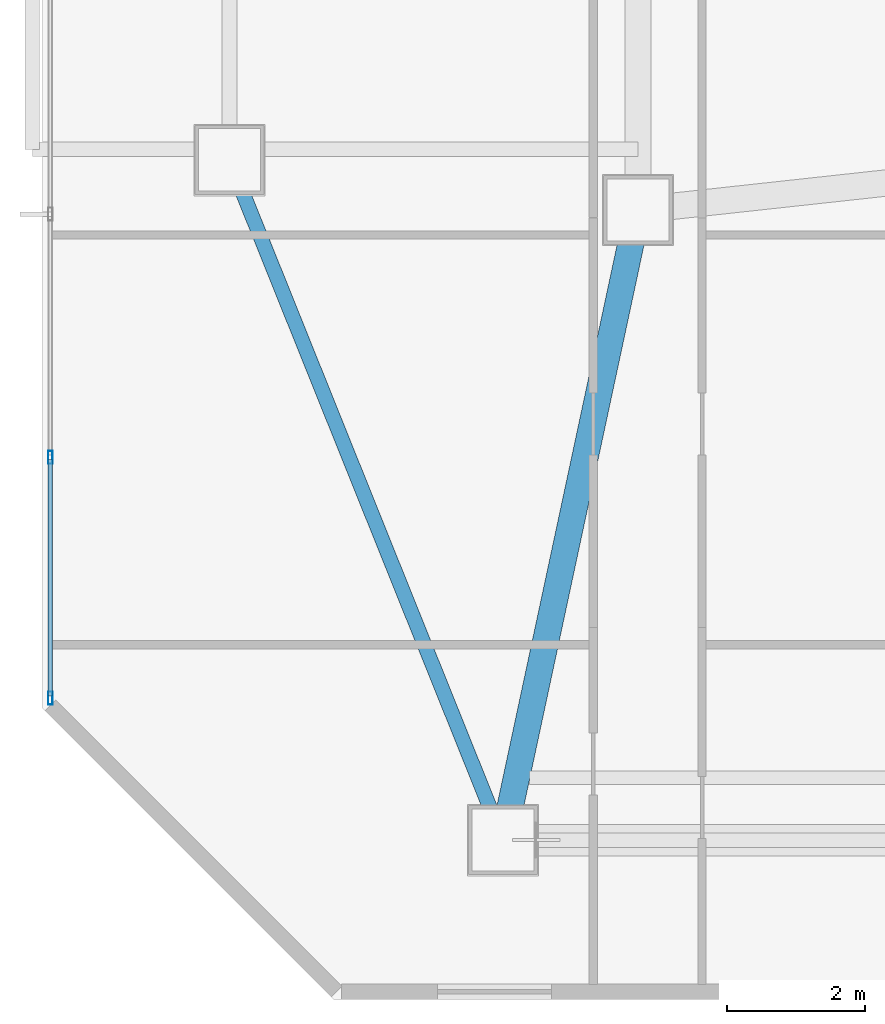
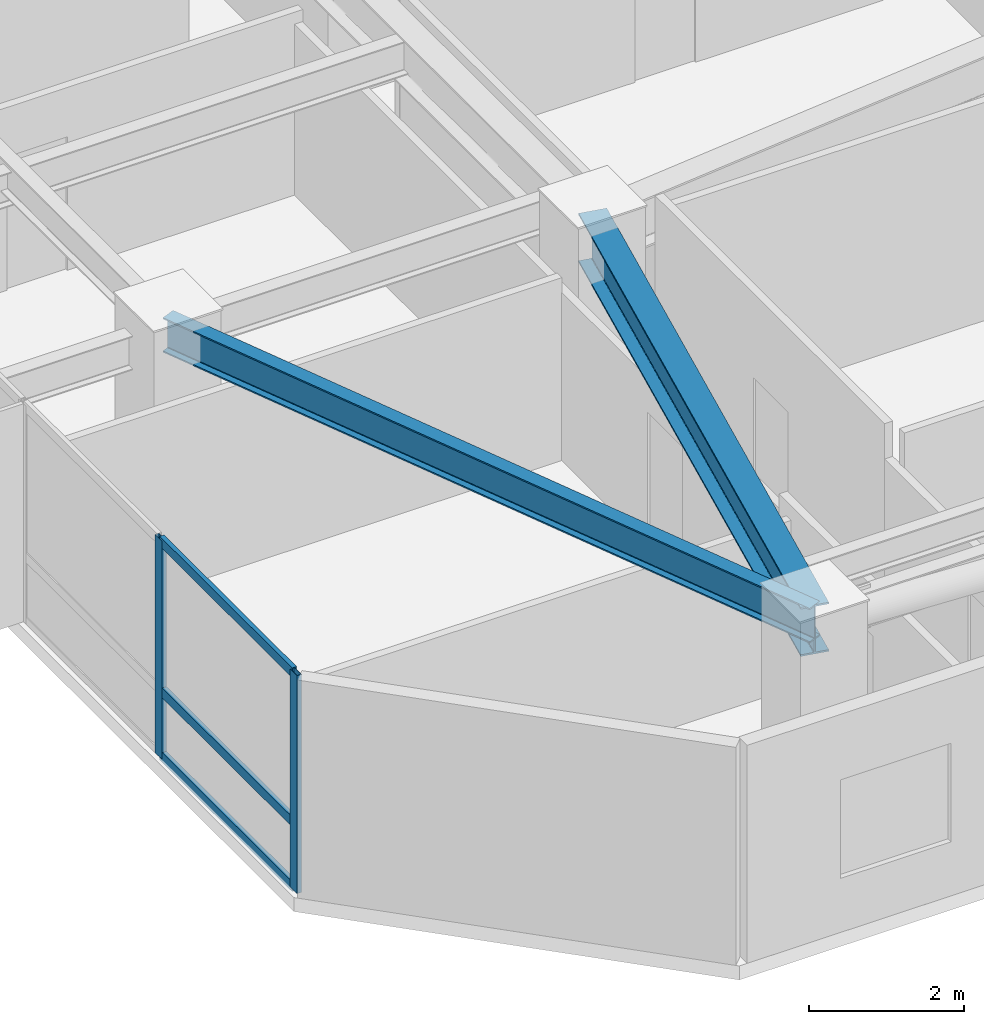
# One storey, part 2 of 17: 5 members, 2 beams, 1 element without a shape of its own.
"""IFC4 building model written with IfcOpenShell, lengths in metres."""

from ifc_helpers import new_model, si_unit, direction, frame, origin, origin_2d, place, context, subcontext, project, spatial, hollow_rectangle, i_section, extrude, material, material_profile, profile_set, type_object, element, aggregate, save


model = new_model("IFC4")

# Units and contexts
model_context = context("Model", 3, precision=1e-05, world=origin(), true_north=direction((0.0, 1.0)))
body_context = subcontext(model_context, "Body", "Model", "MODEL_VIEW")
ifc_project = project(units=[si_unit("LENGTHUNIT", "METRE"), si_unit("AREAUNIT", "SQUARE_METRE"), si_unit("VOLUMEUNIT", "CUBIC_METRE"), si_unit("PLANEANGLEUNIT", "RADIAN"), si_unit("MASSUNIT", "GRAM", prefix="KILO")], contexts=[model_context])

# Site, building, storey
site_placement = place(None, origin())
site = spatial("IfcSite", under=ifc_project, at=site_placement, CompositionType="ELEMENT")
building_placement = place(site_placement, origin())
building = spatial("IfcBuilding", under=site, at=building_placement, Name="Khamvora Tower", CompositionType="ELEMENT")
storey_placement = place(building_placement, frame((0.0, 0.0, 131.10009765625)))
storey = spatial("IfcBuildingStorey", under=building, at=storey_placement, Name="L33", CompositionType="ELEMENT", Elevation=131.10009765625)

# Beams
ifc_material_1 = material(Name="Steel S355", Category="steel")
ifc_material_profile_1 = material_profile(ifc_material_1, i_section(OverallWidth=0.381103515625, OverallDepth=0.77294921875, WebThickness=0.01708984375, FlangeThickness=0.027099609375, FilletRadius=0.01806640625, at=origin_2d()), Name="W760x257")
ifc_profile_set_1 = profile_set([ifc_material_profile_1], Name="Steel S355")
beam_type_1 = type_object("IfcBeamType", Name="BM-PG-W760x257", PredefinedType="BEAM", material=ifc_profile_set_1)
beam_1_placement = place(storey_placement, frame((18.0, 17.800048828125, 3.04296875), z_axis=(-0.209521922673, -0.977803949634, 0.0), x_axis=(0.977803949634, -0.209521922673, 0.0)))
element("IfcBeam", 1, at=beam_1_placement, inside=storey, type_object=beam_type_1, Name="L33 primary floor girder S1", PredefinedType="BEAM", context=body_context, shape_type="SweptSolid", body=[
    extrude(i_section(OverallWidth=0.381103515625, OverallDepth=0.77294921875, WebThickness=0.01708984375, FlangeThickness=0.027099609375, FilletRadius=0.01806640625, at=origin_2d()), origin(), (0.0, 0.0, 1.0), 9.306640625),
])
ifc_material_profile_2 = material_profile(ifc_material_1, i_section(OverallWidth=0.2119140625, OverallDepth=0.5439453125, WebThickness=0.012939453125, FlangeThickness=0.02099609375, FilletRadius=0.013916015625, at=origin_2d()), Name="W530x123")
ifc_profile_set_2 = profile_set([ifc_material_profile_2], Name="Steel S355")
beam_type_2 = type_object("IfcBeamType", Name="BM-SP-W530x123", PredefinedType="SPANDREL", material=ifc_profile_set_2)
beam_2_placement = place(storey_placement, frame((12.10009765625, 18.52490234375, 3.157958984375), z_axis=(0.373015921536, -0.927824941614, 0.0), x_axis=(0.927824941614, 0.373015921536, 0.0)))
element("IfcBeam", 2, at=beam_2_placement, inside=storey, type_object=beam_type_2, Name="L33 perimeter spandrel beam W1-S1", PredefinedType="SPANDREL", context=body_context, shape_type="SweptSolid", body=[
    extrude(i_section(OverallWidth=0.2119140625, OverallDepth=0.5439453125, WebThickness=0.012939453125, FlangeThickness=0.02099609375, FilletRadius=0.013916015625, at=origin_2d()), origin(), (0.0, 0.0, 1.0), 10.589111328125),
])

# Curtain wall, members
ifc_material_2 = material(Name="Anodised Aluminium 6063-T6", Category="aluminium")
curtain_wall_type = type_object("IfcCurtainWallType", Name="CW-SYS-03", PredefinedType="NOTDEFINED", material=ifc_material_2)
curtain_wall_placement = place(storey_placement, origin())
curtain_wall = element("IfcCurtainWall", 3, at=curtain_wall_placement, inside=storey, type_object=curtain_wall_type, Name="L33 stick curtain wall 02.1", PredefinedType="NOTDEFINED")
ifc_material_profile_3 = material_profile(ifc_material_2, hollow_rectangle(XDim=0.06494140625, YDim=0.18994140625, WallThickness=0.0048828125, at=origin_2d()), Name="MUL65x190x5")
ifc_profile_set_3 = profile_set([ifc_material_profile_3], Name="Anodised Aluminium 6063-T6")
member_type_1 = type_object("IfcMemberType", Name="CW-SYS-03-MUL", PredefinedType="MULLION", material=ifc_profile_set_3)
member_1_placement = place(storey_placement, frame((9.510009765625, 10.74951171875, 0.0), z_axis=(0.0, 0.0, 1.0), x_axis=(-1.0, 0.0, 0.0)))
member_1 = element("IfcMember", 4, at=member_1_placement, type_object=member_type_1, Name="CW-03 mullion 1", PredefinedType="MULLION", context=body_context, shape_type="SweptSolid", body=[
    extrude(hollow_rectangle(XDim=0.06494140625, YDim=0.18994140625, WallThickness=0.0048828125, at=origin_2d()), origin(), (0.0, 0.0, 1.0), 3.429931640625),
])
member_2_placement = place(storey_placement, frame((9.510009765625, 14.228515625, 0.0), z_axis=(0.0, 0.0, 1.0), x_axis=(-1.0, 0.0, 0.0)))
member_2 = element("IfcMember", 5, at=member_2_placement, type_object=member_type_1, Name="CW-03 mullion 2", PredefinedType="MULLION", context=body_context, shape_type="SweptSolid", body=[
    extrude(hollow_rectangle(XDim=0.06494140625, YDim=0.18994140625, WallThickness=0.0048828125, at=origin_2d()), origin(), (0.0, 0.0, 1.0), 3.429931640625),
])
ifc_material_profile_4 = material_profile(ifc_material_2, hollow_rectangle(XDim=0.06494140625, YDim=0.155029296875, WallThickness=0.0048828125, at=origin_2d()), Name="TRN65x155x5")
ifc_profile_set_4 = profile_set([ifc_material_profile_4], Name="Anodised Aluminium 6063-T6")
member_type_2 = type_object("IfcMemberType", Name="CW-SYS-03-TRN", PredefinedType="USERDEFINED", material=ifc_profile_set_4)
member_3_placement = place(storey_placement, frame((9.510009765625, 10.781982421875, 0.032470703125), z_axis=(0.0, 1.0, 0.0), x_axis=(-1.0, 0.0, 0.0)))
member_3 = element("IfcMember", 6, at=member_3_placement, type_object=member_type_2, Name="CW-03 transom 1.1", ObjectType="TRANSOM", PredefinedType="USERDEFINED", context=body_context, shape_type="SweptSolid", body=[
    extrude(hollow_rectangle(XDim=0.06494140625, YDim=0.155029296875, WallThickness=0.0048828125, at=origin_2d()), origin(), (0.0, 0.0, 1.0), 3.4140625),
])
member_4_placement = place(storey_placement, frame((9.510009765625, 10.781982421875, 1.0498046875), z_axis=(0.0, 1.0, 0.0), x_axis=(-1.0, 0.0, 0.0)))
member_4 = element("IfcMember", 7, at=member_4_placement, type_object=member_type_2, Name="CW-03 transom 1.2", ObjectType="TRANSOM", PredefinedType="USERDEFINED", context=body_context, shape_type="SweptSolid", body=[
    extrude(hollow_rectangle(XDim=0.06494140625, YDim=0.155029296875, WallThickness=0.0048828125, at=origin_2d()), origin(), (0.0, 0.0, 1.0), 3.4140625),
])
member_5_placement = place(storey_placement, frame((9.510009765625, 10.781982421875, 3.3974609375), z_axis=(0.0, 1.0, 0.0), x_axis=(-1.0, 0.0, 0.0)))
member_5 = element("IfcMember", 8, at=member_5_placement, type_object=member_type_2, Name="CW-03 transom 1.3", ObjectType="TRANSOM", PredefinedType="USERDEFINED", context=body_context, shape_type="SweptSolid", body=[
    extrude(hollow_rectangle(XDim=0.06494140625, YDim=0.155029296875, WallThickness=0.0048828125, at=origin_2d()), origin(), (0.0, 0.0, 1.0), 3.4140625),
])
aggregate(curtain_wall, [member_1, member_2, member_3, member_4, member_5])

save(model, "model.ifc")
